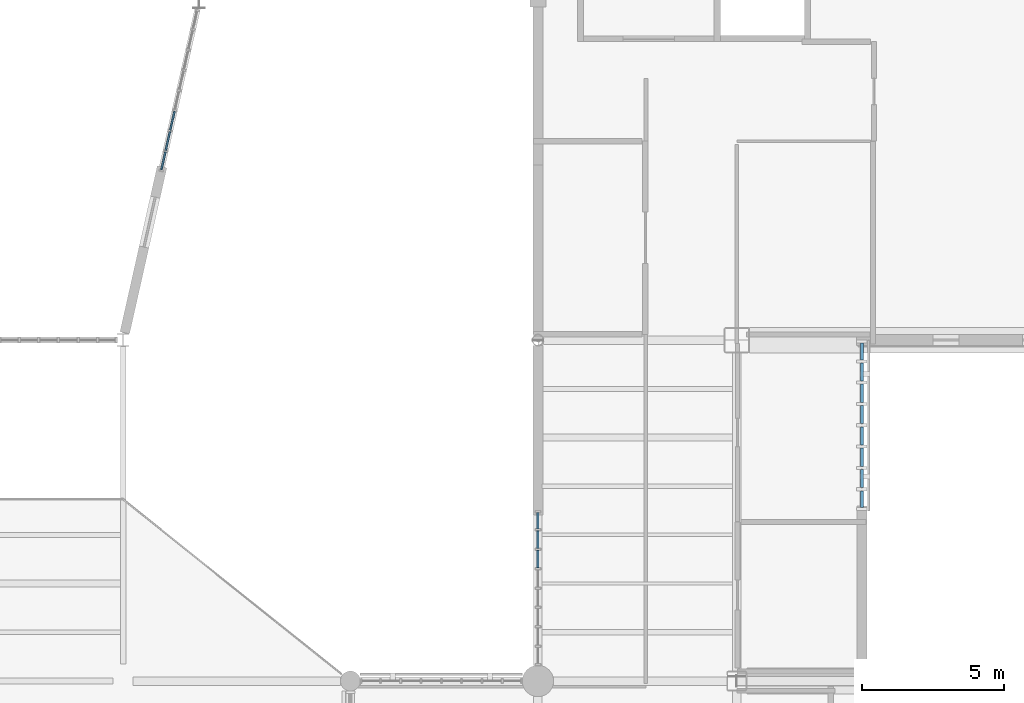
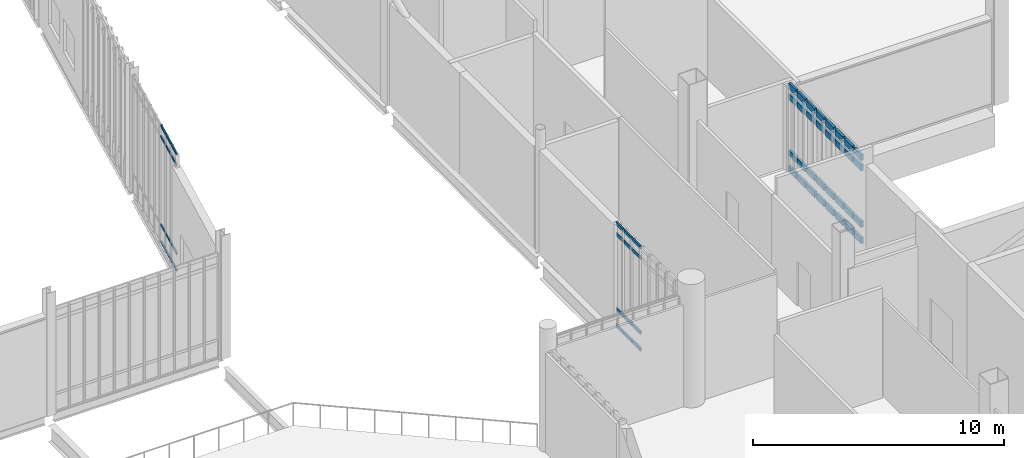
# One storey, part 52 of 135: 56 members, 3 elements without a shape of their own.
"""IFC4 building model written with IfcOpenShell, lengths in metres."""

from ifc_helpers import new_model, si_unit, direction, frame, origin, origin_2d, place, context, subcontext, project, spatial, rectangle, extrude, material, material_profile, profile_set, type_object, element, aggregate, save


model = new_model("IFC4")

# Units and contexts
model_context = context("Model", 3, precision=1e-05, world=origin(), true_north=direction((0.0, 1.0)))
body_context = subcontext(model_context, "Body", "Model", "MODEL_VIEW")
ifc_project = project(units=[si_unit("LENGTHUNIT", "METRE"), si_unit("AREAUNIT", "SQUARE_METRE"), si_unit("VOLUMEUNIT", "CUBIC_METRE"), si_unit("PLANEANGLEUNIT", "RADIAN"), si_unit("MASSUNIT", "GRAM", prefix="KILO")], contexts=[model_context])

# Site, building, storey
site_placement = place(None, origin())
site = spatial("IfcSite", under=ifc_project, at=site_placement, CompositionType="ELEMENT")
building_placement = place(site_placement, origin())
building = spatial("IfcBuilding", under=site, at=building_placement, Name="Larkvane Passage Sports Hall", CompositionType="ELEMENT")
storey_placement = place(building_placement, frame((0.0, 0.0, 10.800048828125)))
storey = spatial("IfcBuildingStorey", under=building, at=storey_placement, Name="L02", CompositionType="ELEMENT", Elevation=10.800048828125)

# Curtain wall, members
ifc_material_1 = material(Name="Thermally broken aluminium and low-E glazing", Category="aluminium")
curtain_wall_type_1 = type_object("IfcCurtainWallType", Name="CW-CLINIC", PredefinedType="USERDEFINED", material=ifc_material_1)
curtain_wall_1_placement = place(storey_placement, origin())
curtain_wall_1 = element("IfcCurtainWall", 1, at=curtain_wall_1_placement, inside=storey, type_object=curtain_wall_type_1, Name="Curtain wall CW5-L02-071", ObjectType="UNITISED CURTAIN WALL", PredefinedType="USERDEFINED")
ifc_material_2 = material(Name="Anodised aluminium 6063-T6", Category="aluminium")
ifc_material_profile_1 = material_profile(ifc_material_2, rectangle(XDim=0.110107421875, YDim=0.2900390625, at=origin_2d()), Name="ALU-TRN-110x290")
ifc_profile_set_1 = profile_set([ifc_material_profile_1], Name="Anodised aluminium 6063-T6")
member_type_1 = type_object("IfcMemberType", Name="CW-TRN-110x290", PredefinedType="USERDEFINED", material=ifc_profile_set_1)
member_1_placement = place(storey_placement, frame((136.0, 63.489990234375, 0.054931640625), z_axis=(0.0, -1.0, 0.0), x_axis=(1.0, 0.0, 0.0)))
member_1 = element("IfcMember", 2, at=member_1_placement, type_object=member_type_1, Name="CW-05 transom 1.1", ObjectType="TRANSOM", PredefinedType="USERDEFINED", context=body_context, shape_type="SweptSolid", body=[
    extrude(rectangle(XDim=0.110107421875, YDim=0.2900390625, at=origin_2d()), origin(), (0.0, 0.0, 1.0), 0.5849609375),
])
member_2_placement = place(storey_placement, frame((136.0, 63.489990234375, 0.849853515625), z_axis=(0.0, -1.0, 0.0), x_axis=(1.0, 0.0, 0.0)))
member_2 = element("IfcMember", 3, at=member_2_placement, type_object=member_type_1, Name="CW-05 transom 1.2", ObjectType="TRANSOM", PredefinedType="USERDEFINED", context=body_context, shape_type="SweptSolid", body=[
    extrude(rectangle(XDim=0.110107421875, YDim=0.2900390625, at=origin_2d()), origin(), (0.0, 0.0, 1.0), 0.5849609375),
])
member_3_placement = place(storey_placement, frame((136.0, 63.489990234375, 3.597900390625), z_axis=(0.0, -1.0, 0.0), x_axis=(1.0, 0.0, 0.0)))
member_3 = element("IfcMember", 4, at=member_3_placement, type_object=member_type_1, Name="CW-05 transom 1.3", ObjectType="TRANSOM", PredefinedType="USERDEFINED", context=body_context, shape_type="SweptSolid", body=[
    extrude(rectangle(XDim=0.110107421875, YDim=0.2900390625, at=origin_2d()), origin(), (0.0, 0.0, 1.0), 0.5849609375),
])
member_4_placement = place(storey_placement, frame((136.0, 63.489990234375, 4.093017578125), z_axis=(0.0, -1.0, 0.0), x_axis=(1.0, 0.0, 0.0)))
member_4 = element("IfcMember", 5, at=member_4_placement, type_object=member_type_1, Name="CW-05 transom 1.4", ObjectType="TRANSOM", PredefinedType="USERDEFINED", context=body_context, shape_type="SweptSolid", body=[
    extrude(rectangle(XDim=0.110107421875, YDim=0.2900390625, at=origin_2d()), origin(), (0.0, 0.0, 1.0), 0.5849609375),
])
member_5_placement = place(storey_placement, frame((136.0, 62.794921875, 0.054931640625), z_axis=(0.0, -1.0, 0.0), x_axis=(1.0, 0.0, 0.0)))
member_5 = element("IfcMember", 6, at=member_5_placement, type_object=member_type_1, Name="CW-05 transom 2.1", ObjectType="TRANSOM", PredefinedType="USERDEFINED", context=body_context, shape_type="SweptSolid", body=[
    extrude(rectangle(XDim=0.110107421875, YDim=0.2900390625, at=origin_2d()), origin(), (0.0, 0.0, 1.0), 0.639892578125),
])
member_6_placement = place(storey_placement, frame((136.0, 62.794921875, 0.849853515625), z_axis=(0.0, -1.0, 0.0), x_axis=(1.0, 0.0, 0.0)))
member_6 = element("IfcMember", 7, at=member_6_placement, type_object=member_type_1, Name="CW-05 transom 2.2", ObjectType="TRANSOM", PredefinedType="USERDEFINED", context=body_context, shape_type="SweptSolid", body=[
    extrude(rectangle(XDim=0.110107421875, YDim=0.2900390625, at=origin_2d()), origin(), (0.0, 0.0, 1.0), 0.639892578125),
])
member_7_placement = place(storey_placement, frame((136.0, 62.794921875, 3.597900390625), z_axis=(0.0, -1.0, 0.0), x_axis=(1.0, 0.0, 0.0)))
member_7 = element("IfcMember", 8, at=member_7_placement, type_object=member_type_1, Name="CW-05 transom 2.3", ObjectType="TRANSOM", PredefinedType="USERDEFINED", context=body_context, shape_type="SweptSolid", body=[
    extrude(rectangle(XDim=0.110107421875, YDim=0.2900390625, at=origin_2d()), origin(), (0.0, 0.0, 1.0), 0.639892578125),
])
member_8_placement = place(storey_placement, frame((136.0, 62.794921875, 4.093017578125), z_axis=(0.0, -1.0, 0.0), x_axis=(1.0, 0.0, 0.0)))
member_8 = element("IfcMember", 9, at=member_8_placement, type_object=member_type_1, Name="CW-05 transom 2.4", ObjectType="TRANSOM", PredefinedType="USERDEFINED", context=body_context, shape_type="SweptSolid", body=[
    extrude(rectangle(XDim=0.110107421875, YDim=0.2900390625, at=origin_2d()), origin(), (0.0, 0.0, 1.0), 0.639892578125),
])
member_9_placement = place(storey_placement, frame((136.0, 62.044921875, 0.054931640625), z_axis=(0.0, -1.0, 0.0), x_axis=(1.0, 0.0, 0.0)))
member_9 = element("IfcMember", 10, at=member_9_placement, type_object=member_type_1, Name="CW-05 transom 3.1", ObjectType="TRANSOM", PredefinedType="USERDEFINED", context=body_context, shape_type="SweptSolid", body=[
    extrude(rectangle(XDim=0.110107421875, YDim=0.2900390625, at=origin_2d()), origin(), (0.0, 0.0, 1.0), 0.639892578125),
])
member_10_placement = place(storey_placement, frame((136.0, 62.044921875, 0.849853515625), z_axis=(0.0, -1.0, 0.0), x_axis=(1.0, 0.0, 0.0)))
member_10 = element("IfcMember", 11, at=member_10_placement, type_object=member_type_1, Name="CW-05 transom 3.2", ObjectType="TRANSOM", PredefinedType="USERDEFINED", context=body_context, shape_type="SweptSolid", body=[
    extrude(rectangle(XDim=0.110107421875, YDim=0.2900390625, at=origin_2d()), origin(), (0.0, 0.0, 1.0), 0.639892578125),
])
member_11_placement = place(storey_placement, frame((136.0, 62.044921875, 3.597900390625), z_axis=(0.0, -1.0, 0.0), x_axis=(1.0, 0.0, 0.0)))
member_11 = element("IfcMember", 12, at=member_11_placement, type_object=member_type_1, Name="CW-05 transom 3.3", ObjectType="TRANSOM", PredefinedType="USERDEFINED", context=body_context, shape_type="SweptSolid", body=[
    extrude(rectangle(XDim=0.110107421875, YDim=0.2900390625, at=origin_2d()), origin(), (0.0, 0.0, 1.0), 0.639892578125),
])
member_12_placement = place(storey_placement, frame((136.0, 62.044921875, 4.093017578125), z_axis=(0.0, -1.0, 0.0), x_axis=(1.0, 0.0, 0.0)))
member_12 = element("IfcMember", 13, at=member_12_placement, type_object=member_type_1, Name="CW-05 transom 3.4", ObjectType="TRANSOM", PredefinedType="USERDEFINED", context=body_context, shape_type="SweptSolid", body=[
    extrude(rectangle(XDim=0.110107421875, YDim=0.2900390625, at=origin_2d()), origin(), (0.0, 0.0, 1.0), 0.639892578125),
])
member_13_placement = place(storey_placement, frame((136.0, 61.294921875, 0.054931640625), z_axis=(0.0, -1.0, 0.0), x_axis=(1.0, 0.0, 0.0)))
member_13 = element("IfcMember", 14, at=member_13_placement, type_object=member_type_1, Name="CW-05 transom 4.1", ObjectType="TRANSOM", PredefinedType="USERDEFINED", context=body_context, shape_type="SweptSolid", body=[
    extrude(rectangle(XDim=0.110107421875, YDim=0.2900390625, at=origin_2d()), origin(), (0.0, 0.0, 1.0), 0.639892578125),
])
member_14_placement = place(storey_placement, frame((136.0, 61.294921875, 0.849853515625), z_axis=(0.0, -1.0, 0.0), x_axis=(1.0, 0.0, 0.0)))
member_14 = element("IfcMember", 15, at=member_14_placement, type_object=member_type_1, Name="CW-05 transom 4.2", ObjectType="TRANSOM", PredefinedType="USERDEFINED", context=body_context, shape_type="SweptSolid", body=[
    extrude(rectangle(XDim=0.110107421875, YDim=0.2900390625, at=origin_2d()), origin(), (0.0, 0.0, 1.0), 0.639892578125),
])
member_15_placement = place(storey_placement, frame((136.0, 61.294921875, 3.597900390625), z_axis=(0.0, -1.0, 0.0), x_axis=(1.0, 0.0, 0.0)))
member_15 = element("IfcMember", 16, at=member_15_placement, type_object=member_type_1, Name="CW-05 transom 4.3", ObjectType="TRANSOM", PredefinedType="USERDEFINED", context=body_context, shape_type="SweptSolid", body=[
    extrude(rectangle(XDim=0.110107421875, YDim=0.2900390625, at=origin_2d()), origin(), (0.0, 0.0, 1.0), 0.639892578125),
])
member_16_placement = place(storey_placement, frame((136.0, 61.294921875, 4.093017578125), z_axis=(0.0, -1.0, 0.0), x_axis=(1.0, 0.0, 0.0)))
member_16 = element("IfcMember", 17, at=member_16_placement, type_object=member_type_1, Name="CW-05 transom 4.4", ObjectType="TRANSOM", PredefinedType="USERDEFINED", context=body_context, shape_type="SweptSolid", body=[
    extrude(rectangle(XDim=0.110107421875, YDim=0.2900390625, at=origin_2d()), origin(), (0.0, 0.0, 1.0), 0.639892578125),
])
member_17_placement = place(storey_placement, frame((136.0, 60.544921875, 0.054931640625), z_axis=(0.0, -1.0, 0.0), x_axis=(1.0, 0.0, 0.0)))
member_17 = element("IfcMember", 18, at=member_17_placement, type_object=member_type_1, Name="CW-05 transom 5.1", ObjectType="TRANSOM", PredefinedType="USERDEFINED", context=body_context, shape_type="SweptSolid", body=[
    extrude(rectangle(XDim=0.110107421875, YDim=0.2900390625, at=origin_2d()), origin(), (0.0, 0.0, 1.0), 0.639892578125),
])
member_18_placement = place(storey_placement, frame((136.0, 60.544921875, 0.849853515625), z_axis=(0.0, -1.0, 0.0), x_axis=(1.0, 0.0, 0.0)))
member_18 = element("IfcMember", 19, at=member_18_placement, type_object=member_type_1, Name="CW-05 transom 5.2", ObjectType="TRANSOM", PredefinedType="USERDEFINED", context=body_context, shape_type="SweptSolid", body=[
    extrude(rectangle(XDim=0.110107421875, YDim=0.2900390625, at=origin_2d()), origin(), (0.0, 0.0, 1.0), 0.639892578125),
])
member_19_placement = place(storey_placement, frame((136.0, 60.544921875, 3.597900390625), z_axis=(0.0, -1.0, 0.0), x_axis=(1.0, 0.0, 0.0)))
member_19 = element("IfcMember", 20, at=member_19_placement, type_object=member_type_1, Name="CW-05 transom 5.3", ObjectType="TRANSOM", PredefinedType="USERDEFINED", context=body_context, shape_type="SweptSolid", body=[
    extrude(rectangle(XDim=0.110107421875, YDim=0.2900390625, at=origin_2d()), origin(), (0.0, 0.0, 1.0), 0.639892578125),
])
member_20_placement = place(storey_placement, frame((136.0, 60.544921875, 4.093017578125), z_axis=(0.0, -1.0, 0.0), x_axis=(1.0, 0.0, 0.0)))
member_20 = element("IfcMember", 21, at=member_20_placement, type_object=member_type_1, Name="CW-05 transom 5.4", ObjectType="TRANSOM", PredefinedType="USERDEFINED", context=body_context, shape_type="SweptSolid", body=[
    extrude(rectangle(XDim=0.110107421875, YDim=0.2900390625, at=origin_2d()), origin(), (0.0, 0.0, 1.0), 0.639892578125),
])
member_21_placement = place(storey_placement, frame((136.0, 59.794921875, 0.054931640625), z_axis=(0.0, -1.0, 0.0), x_axis=(1.0, 0.0, 0.0)))
member_21 = element("IfcMember", 22, at=member_21_placement, type_object=member_type_1, Name="CW-05 transom 6.1", ObjectType="TRANSOM", PredefinedType="USERDEFINED", context=body_context, shape_type="SweptSolid", body=[
    extrude(rectangle(XDim=0.110107421875, YDim=0.2900390625, at=origin_2d()), origin(), (0.0, 0.0, 1.0), 0.639892578125),
])
member_22_placement = place(storey_placement, frame((136.0, 59.794921875, 0.849853515625), z_axis=(0.0, -1.0, 0.0), x_axis=(1.0, 0.0, 0.0)))
member_22 = element("IfcMember", 23, at=member_22_placement, type_object=member_type_1, Name="CW-05 transom 6.2", ObjectType="TRANSOM", PredefinedType="USERDEFINED", context=body_context, shape_type="SweptSolid", body=[
    extrude(rectangle(XDim=0.110107421875, YDim=0.2900390625, at=origin_2d()), origin(), (0.0, 0.0, 1.0), 0.639892578125),
])
member_23_placement = place(storey_placement, frame((136.0, 59.794921875, 3.597900390625), z_axis=(0.0, -1.0, 0.0), x_axis=(1.0, 0.0, 0.0)))
member_23 = element("IfcMember", 24, at=member_23_placement, type_object=member_type_1, Name="CW-05 transom 6.3", ObjectType="TRANSOM", PredefinedType="USERDEFINED", context=body_context, shape_type="SweptSolid", body=[
    extrude(rectangle(XDim=0.110107421875, YDim=0.2900390625, at=origin_2d()), origin(), (0.0, 0.0, 1.0), 0.639892578125),
])
member_24_placement = place(storey_placement, frame((136.0, 59.794921875, 4.093017578125), z_axis=(0.0, -1.0, 0.0), x_axis=(1.0, 0.0, 0.0)))
member_24 = element("IfcMember", 25, at=member_24_placement, type_object=member_type_1, Name="CW-05 transom 6.4", ObjectType="TRANSOM", PredefinedType="USERDEFINED", context=body_context, shape_type="SweptSolid", body=[
    extrude(rectangle(XDim=0.110107421875, YDim=0.2900390625, at=origin_2d()), origin(), (0.0, 0.0, 1.0), 0.639892578125),
])
member_25_placement = place(storey_placement, frame((136.0, 59.044921875, 0.054931640625), z_axis=(0.0, -1.0, 0.0), x_axis=(1.0, 0.0, 0.0)))
member_25 = element("IfcMember", 26, at=member_25_placement, type_object=member_type_1, Name="CW-05 transom 7.1", ObjectType="TRANSOM", PredefinedType="USERDEFINED", context=body_context, shape_type="SweptSolid", body=[
    extrude(rectangle(XDim=0.110107421875, YDim=0.2900390625, at=origin_2d()), origin(), (0.0, 0.0, 1.0), 0.639892578125),
])
member_26_placement = place(storey_placement, frame((136.0, 59.044921875, 0.849853515625), z_axis=(0.0, -1.0, 0.0), x_axis=(1.0, 0.0, 0.0)))
member_26 = element("IfcMember", 27, at=member_26_placement, type_object=member_type_1, Name="CW-05 transom 7.2", ObjectType="TRANSOM", PredefinedType="USERDEFINED", context=body_context, shape_type="SweptSolid", body=[
    extrude(rectangle(XDim=0.110107421875, YDim=0.2900390625, at=origin_2d()), origin(), (0.0, 0.0, 1.0), 0.639892578125),
])
member_27_placement = place(storey_placement, frame((136.0, 59.044921875, 3.597900390625), z_axis=(0.0, -1.0, 0.0), x_axis=(1.0, 0.0, 0.0)))
member_27 = element("IfcMember", 28, at=member_27_placement, type_object=member_type_1, Name="CW-05 transom 7.3", ObjectType="TRANSOM", PredefinedType="USERDEFINED", context=body_context, shape_type="SweptSolid", body=[
    extrude(rectangle(XDim=0.110107421875, YDim=0.2900390625, at=origin_2d()), origin(), (0.0, 0.0, 1.0), 0.639892578125),
])
member_28_placement = place(storey_placement, frame((136.0, 59.044921875, 4.093017578125), z_axis=(0.0, -1.0, 0.0), x_axis=(1.0, 0.0, 0.0)))
member_28 = element("IfcMember", 29, at=member_28_placement, type_object=member_type_1, Name="CW-05 transom 7.4", ObjectType="TRANSOM", PredefinedType="USERDEFINED", context=body_context, shape_type="SweptSolid", body=[
    extrude(rectangle(XDim=0.110107421875, YDim=0.2900390625, at=origin_2d()), origin(), (0.0, 0.0, 1.0), 0.639892578125),
])
member_29_placement = place(storey_placement, frame((136.0, 58.294921875, 0.054931640625), z_axis=(0.0, -1.0, 0.0), x_axis=(1.0, 0.0, 0.0)))
member_29 = element("IfcMember", 30, at=member_29_placement, type_object=member_type_1, Name="CW-05 transom 8.1", ObjectType="TRANSOM", PredefinedType="USERDEFINED", context=body_context, shape_type="SweptSolid", body=[
    extrude(rectangle(XDim=0.110107421875, YDim=0.2900390625, at=origin_2d()), origin(), (0.0, 0.0, 1.0), 0.5849609375),
])
member_30_placement = place(storey_placement, frame((136.0, 58.294921875, 0.849853515625), z_axis=(0.0, -1.0, 0.0), x_axis=(1.0, 0.0, 0.0)))
member_30 = element("IfcMember", 31, at=member_30_placement, type_object=member_type_1, Name="CW-05 transom 8.2", ObjectType="TRANSOM", PredefinedType="USERDEFINED", context=body_context, shape_type="SweptSolid", body=[
    extrude(rectangle(XDim=0.110107421875, YDim=0.2900390625, at=origin_2d()), origin(), (0.0, 0.0, 1.0), 0.5849609375),
])
member_31_placement = place(storey_placement, frame((136.0, 58.294921875, 3.597900390625), z_axis=(0.0, -1.0, 0.0), x_axis=(1.0, 0.0, 0.0)))
member_31 = element("IfcMember", 32, at=member_31_placement, type_object=member_type_1, Name="CW-05 transom 8.3", ObjectType="TRANSOM", PredefinedType="USERDEFINED", context=body_context, shape_type="SweptSolid", body=[
    extrude(rectangle(XDim=0.110107421875, YDim=0.2900390625, at=origin_2d()), origin(), (0.0, 0.0, 1.0), 0.5849609375),
])
member_32_placement = place(storey_placement, frame((136.0, 58.294921875, 4.093017578125), z_axis=(0.0, -1.0, 0.0), x_axis=(1.0, 0.0, 0.0)))
member_32 = element("IfcMember", 33, at=member_32_placement, type_object=member_type_1, Name="CW-05 transom 8.4", ObjectType="TRANSOM", PredefinedType="USERDEFINED", context=body_context, shape_type="SweptSolid", body=[
    extrude(rectangle(XDim=0.110107421875, YDim=0.2900390625, at=origin_2d()), origin(), (0.0, 0.0, 1.0), 0.5849609375),
])
aggregate(curtain_wall_1, [member_1, member_2, member_3, member_4, member_5, member_6, member_7, member_8, member_9, member_10, member_11, member_12, member_13, member_14, member_15, member_16, member_17, member_18, member_19, member_20, member_21, member_22, member_23, member_24, member_25, member_26, member_27, member_28, member_29, member_30, member_31, member_32])

curtain_wall_type_2 = type_object("IfcCurtainWallType", Name="CW-UNIT-COURT", PredefinedType="USERDEFINED", material=ifc_material_1)
curtain_wall_2_placement = place(storey_placement, origin())
curtain_wall_2 = element("IfcCurtainWall", 34, at=curtain_wall_2_placement, inside=storey, type_object=curtain_wall_type_2, Name="Curtain wall CW5-L02-084", ObjectType="UNITISED CURTAIN WALL", PredefinedType="USERDEFINED")
ifc_material_profile_2 = material_profile(ifc_material_2, rectangle(XDim=0.06005859375, YDim=0.1201171875, at=origin_2d()), Name="ALU-TRN-60x120")
ifc_profile_set_2 = profile_set([ifc_material_profile_2], Name="Anodised aluminium 6063-T6")
member_type_2 = type_object("IfcMemberType", Name="CW-TRN-60x120", PredefinedType="USERDEFINED", material=ifc_profile_set_2)
member_33_placement = place(storey_placement, frame((111.80810546875, 71.645751953125, 0.030029296875), z_axis=(-0.219356381456, -0.975644801101, 0.0), x_axis=(0.975644801101, -0.219356381456, 0.0)))
member_33 = element("IfcMember", 35, at=member_33_placement, type_object=member_type_2, Name="CW-01 transom 6.1", ObjectType="TRANSOM", PredefinedType="USERDEFINED", context=body_context, shape_type="SweptSolid", body=[
    extrude(rectangle(XDim=0.06005859375, YDim=0.1201171875, at=origin_2d()), origin(), (0.0, 0.0, 1.0), 0.671142578125),
])
member_34_placement = place(storey_placement, frame((111.80810546875, 71.645751953125, 0.849853515625), z_axis=(-0.219356381456, -0.975644801101, 0.0), x_axis=(0.975644801101, -0.219356381456, 0.0)))
member_34 = element("IfcMember", 36, at=member_34_placement, type_object=member_type_2, Name="CW-01 transom 6.2", ObjectType="TRANSOM", PredefinedType="USERDEFINED", context=body_context, shape_type="SweptSolid", body=[
    extrude(rectangle(XDim=0.06005859375, YDim=0.1201171875, at=origin_2d()), origin(), (0.0, 0.0, 1.0), 0.671142578125),
])
member_35_placement = place(storey_placement, frame((111.80810546875, 71.645751953125, 5.14990234375), z_axis=(-0.219356381456, -0.975644801101, 0.0), x_axis=(0.975644801101, -0.219356381456, 0.0)))
member_35 = element("IfcMember", 37, at=member_35_placement, type_object=member_type_2, Name="CW-01 transom 6.3", ObjectType="TRANSOM", PredefinedType="USERDEFINED", context=body_context, shape_type="SweptSolid", body=[
    extrude(rectangle(XDim=0.06005859375, YDim=0.1201171875, at=origin_2d()), origin(), (0.0, 0.0, 1.0), 0.671142578125),
])
member_36_placement = place(storey_placement, frame((111.80810546875, 71.645751953125, 5.669921875), z_axis=(-0.219356381456, -0.975644801101, 0.0), x_axis=(0.975644801101, -0.219356381456, 0.0)))
member_36 = element("IfcMember", 38, at=member_36_placement, type_object=member_type_2, Name="CW-01 transom 6.4", ObjectType="TRANSOM", PredefinedType="USERDEFINED", context=body_context, shape_type="SweptSolid", body=[
    extrude(rectangle(XDim=0.06005859375, YDim=0.1201171875, at=origin_2d()), origin(), (0.0, 0.0, 1.0), 0.671142578125),
])
member_37_placement = place(storey_placement, frame((111.647705078125, 70.9326171875, 0.030029296875), z_axis=(-0.219010068779, -0.975722598782, 0.0), x_axis=(0.975722598782, -0.219010068779, 0.0)))
member_37 = element("IfcMember", 39, at=member_37_placement, type_object=member_type_2, Name="CW-01 transom 7.1", ObjectType="TRANSOM", PredefinedType="USERDEFINED", context=body_context, shape_type="SweptSolid", body=[
    extrude(rectangle(XDim=0.06005859375, YDim=0.1201171875, at=origin_2d()), origin(), (0.0, 0.0, 1.0), 0.671142578125),
])
member_38_placement = place(storey_placement, frame((111.647705078125, 70.9326171875, 0.849853515625), z_axis=(-0.219010068779, -0.975722598782, 0.0), x_axis=(0.975722598782, -0.219010068779, 0.0)))
member_38 = element("IfcMember", 40, at=member_38_placement, type_object=member_type_2, Name="CW-01 transom 7.2", ObjectType="TRANSOM", PredefinedType="USERDEFINED", context=body_context, shape_type="SweptSolid", body=[
    extrude(rectangle(XDim=0.06005859375, YDim=0.1201171875, at=origin_2d()), origin(), (0.0, 0.0, 1.0), 0.671142578125),
])
member_39_placement = place(storey_placement, frame((111.647705078125, 70.9326171875, 5.14990234375), z_axis=(-0.219010068779, -0.975722598782, 0.0), x_axis=(0.975722598782, -0.219010068779, 0.0)))
member_39 = element("IfcMember", 41, at=member_39_placement, type_object=member_type_2, Name="CW-01 transom 7.3", ObjectType="TRANSOM", PredefinedType="USERDEFINED", context=body_context, shape_type="SweptSolid", body=[
    extrude(rectangle(XDim=0.06005859375, YDim=0.1201171875, at=origin_2d()), origin(), (0.0, 0.0, 1.0), 0.671142578125),
])
member_40_placement = place(storey_placement, frame((111.647705078125, 70.9326171875, 5.669921875), z_axis=(-0.219010068779, -0.975722598782, 0.0), x_axis=(0.975722598782, -0.219010068779, 0.0)))
member_40 = element("IfcMember", 42, at=member_40_placement, type_object=member_type_2, Name="CW-01 transom 7.4", ObjectType="TRANSOM", PredefinedType="USERDEFINED", context=body_context, shape_type="SweptSolid", body=[
    extrude(rectangle(XDim=0.06005859375, YDim=0.1201171875, at=origin_2d()), origin(), (0.0, 0.0, 1.0), 0.671142578125),
])
member_41_placement = place(storey_placement, frame((111.487548828125, 70.21923828125, 0.030029296875), z_axis=(-0.21934908298, -0.975646442004, 0.0), x_axis=(0.975646442004, -0.21934908298, 0.0)))
member_41 = element("IfcMember", 43, at=member_41_placement, type_object=member_type_2, Name="CW-01 transom 8.1", ObjectType="TRANSOM", PredefinedType="USERDEFINED", context=body_context, shape_type="SweptSolid", body=[
    extrude(rectangle(XDim=0.06005859375, YDim=0.1201171875, at=origin_2d()), origin(), (0.0, 0.0, 1.0), 0.64111328125),
])
member_42_placement = place(storey_placement, frame((111.487548828125, 70.21923828125, 0.849853515625), z_axis=(-0.21934908298, -0.975646442004, 0.0), x_axis=(0.975646442004, -0.21934908298, 0.0)))
member_42 = element("IfcMember", 44, at=member_42_placement, type_object=member_type_2, Name="CW-01 transom 8.2", ObjectType="TRANSOM", PredefinedType="USERDEFINED", context=body_context, shape_type="SweptSolid", body=[
    extrude(rectangle(XDim=0.06005859375, YDim=0.1201171875, at=origin_2d()), origin(), (0.0, 0.0, 1.0), 0.64111328125),
])
member_43_placement = place(storey_placement, frame((111.487548828125, 70.21923828125, 5.14990234375), z_axis=(-0.21934908298, -0.975646442004, 0.0), x_axis=(0.975646442004, -0.21934908298, 0.0)))
member_43 = element("IfcMember", 45, at=member_43_placement, type_object=member_type_2, Name="CW-01 transom 8.3", ObjectType="TRANSOM", PredefinedType="USERDEFINED", context=body_context, shape_type="SweptSolid", body=[
    extrude(rectangle(XDim=0.06005859375, YDim=0.1201171875, at=origin_2d()), origin(), (0.0, 0.0, 1.0), 0.64111328125),
])
member_44_placement = place(storey_placement, frame((111.487548828125, 70.21923828125, 5.669921875), z_axis=(-0.21934908298, -0.975646442004, 0.0), x_axis=(0.975646442004, -0.21934908298, 0.0)))
member_44 = element("IfcMember", 46, at=member_44_placement, type_object=member_type_2, Name="CW-01 transom 8.4", ObjectType="TRANSOM", PredefinedType="USERDEFINED", context=body_context, shape_type="SweptSolid", body=[
    extrude(rectangle(XDim=0.06005859375, YDim=0.1201171875, at=origin_2d()), origin(), (0.0, 0.0, 1.0), 0.64111328125),
])
aggregate(curtain_wall_2, [member_33, member_34, member_35, member_36, member_37, member_38, member_39, member_40, member_41, member_42, member_43, member_44])

curtain_wall_type_3 = type_object("IfcCurtainWallType", Name="CW-UNIT-VEIL", PredefinedType="USERDEFINED", material=ifc_material_1)
curtain_wall_3_placement = place(storey_placement, origin())
curtain_wall_3 = element("IfcCurtainWall", 47, at=curtain_wall_3_placement, inside=storey, type_object=curtain_wall_type_3, Name="Curtain wall CW5-L02-077", ObjectType="UNITISED CURTAIN WALL", PredefinedType="USERDEFINED")
ifc_material_profile_3 = material_profile(ifc_material_2, rectangle(XDim=0.070068359375, YDim=0.159912109375, at=origin_2d()), Name="ALU-TRN-70x160")
ifc_profile_set_3 = profile_set([ifc_material_profile_3], Name="Anodised aluminium 6063-T6")
member_type_3 = type_object("IfcMemberType", Name="CW-TRN-70x160", PredefinedType="USERDEFINED", material=ifc_profile_set_3)
member_45_placement = place(storey_placement, frame((124.60009765625, 55.58984375, 0.034912109375), z_axis=(0.0, 1.0, 0.0), x_axis=(-1.0, 0.0, 0.0)))
member_45 = element("IfcMember", 48, at=member_45_placement, type_object=member_type_3, Name="CW-02 transom 6.1", ObjectType="TRANSOM", PredefinedType="USERDEFINED", context=body_context, shape_type="SweptSolid", body=[
    extrude(rectangle(XDim=0.070068359375, YDim=0.159912109375, at=origin_2d()), origin(), (0.0, 0.0, 1.0), 0.611572265625),
])
member_46_placement = place(storey_placement, frame((124.60009765625, 55.58984375, 0.849853515625), z_axis=(0.0, 1.0, 0.0), x_axis=(-1.0, 0.0, 0.0)))
member_46 = element("IfcMember", 49, at=member_46_placement, type_object=member_type_3, Name="CW-02 transom 6.2", ObjectType="TRANSOM", PredefinedType="USERDEFINED", context=body_context, shape_type="SweptSolid", body=[
    extrude(rectangle(XDim=0.070068359375, YDim=0.159912109375, at=origin_2d()), origin(), (0.0, 0.0, 1.0), 0.611572265625),
])
member_47_placement = place(storey_placement, frame((124.60009765625, 55.58984375, 4.498046875), z_axis=(0.0, 1.0, 0.0), x_axis=(-1.0, 0.0, 0.0)))
member_47 = element("IfcMember", 50, at=member_47_placement, type_object=member_type_3, Name="CW-02 transom 6.3", ObjectType="TRANSOM", PredefinedType="USERDEFINED", context=body_context, shape_type="SweptSolid", body=[
    extrude(rectangle(XDim=0.070068359375, YDim=0.159912109375, at=origin_2d()), origin(), (0.0, 0.0, 1.0), 0.611572265625),
])
member_48_placement = place(storey_placement, frame((124.60009765625, 55.58984375, 5.012939453125), z_axis=(0.0, 1.0, 0.0), x_axis=(-1.0, 0.0, 0.0)))
member_48 = element("IfcMember", 51, at=member_48_placement, type_object=member_type_3, Name="CW-02 transom 6.4", ObjectType="TRANSOM", PredefinedType="USERDEFINED", context=body_context, shape_type="SweptSolid", body=[
    extrude(rectangle(XDim=0.070068359375, YDim=0.159912109375, at=origin_2d()), origin(), (0.0, 0.0, 1.0), 0.611572265625),
])
member_49_placement = place(storey_placement, frame((124.60009765625, 56.271484375, 0.034912109375), z_axis=(0.0, 1.0, 0.0), x_axis=(-1.0, 0.0, 0.0)))
member_49 = element("IfcMember", 52, at=member_49_placement, type_object=member_type_3, Name="CW-02 transom 7.1", ObjectType="TRANSOM", PredefinedType="USERDEFINED", context=body_context, shape_type="SweptSolid", body=[
    extrude(rectangle(XDim=0.070068359375, YDim=0.159912109375, at=origin_2d()), origin(), (0.0, 0.0, 1.0), 0.61181640625),
])
member_50_placement = place(storey_placement, frame((124.60009765625, 56.271484375, 0.849853515625), z_axis=(0.0, 1.0, 0.0), x_axis=(-1.0, 0.0, 0.0)))
member_50 = element("IfcMember", 53, at=member_50_placement, type_object=member_type_3, Name="CW-02 transom 7.2", ObjectType="TRANSOM", PredefinedType="USERDEFINED", context=body_context, shape_type="SweptSolid", body=[
    extrude(rectangle(XDim=0.070068359375, YDim=0.159912109375, at=origin_2d()), origin(), (0.0, 0.0, 1.0), 0.61181640625),
])
member_51_placement = place(storey_placement, frame((124.60009765625, 56.271484375, 4.498046875), z_axis=(0.0, 1.0, 0.0), x_axis=(-1.0, 0.0, 0.0)))
member_51 = element("IfcMember", 54, at=member_51_placement, type_object=member_type_3, Name="CW-02 transom 7.3", ObjectType="TRANSOM", PredefinedType="USERDEFINED", context=body_context, shape_type="SweptSolid", body=[
    extrude(rectangle(XDim=0.070068359375, YDim=0.159912109375, at=origin_2d()), origin(), (0.0, 0.0, 1.0), 0.61181640625),
])
member_52_placement = place(storey_placement, frame((124.60009765625, 56.271484375, 5.012939453125), z_axis=(0.0, 1.0, 0.0), x_axis=(-1.0, 0.0, 0.0)))
member_52 = element("IfcMember", 55, at=member_52_placement, type_object=member_type_3, Name="CW-02 transom 7.4", ObjectType="TRANSOM", PredefinedType="USERDEFINED", context=body_context, shape_type="SweptSolid", body=[
    extrude(rectangle(XDim=0.070068359375, YDim=0.159912109375, at=origin_2d()), origin(), (0.0, 0.0, 1.0), 0.61181640625),
])
member_53_placement = place(storey_placement, frame((124.60009765625, 56.953369140625, 0.034912109375), z_axis=(0.0, 1.0, 0.0), x_axis=(-1.0, 0.0, 0.0)))
member_53 = element("IfcMember", 56, at=member_53_placement, type_object=member_type_3, Name="CW-02 transom 8.1", ObjectType="TRANSOM", PredefinedType="USERDEFINED", context=body_context, shape_type="SweptSolid", body=[
    extrude(rectangle(XDim=0.070068359375, YDim=0.159912109375, at=origin_2d()), origin(), (0.0, 0.0, 1.0), 0.57666015625),
])
member_54_placement = place(storey_placement, frame((124.60009765625, 56.953369140625, 0.849853515625), z_axis=(0.0, 1.0, 0.0), x_axis=(-1.0, 0.0, 0.0)))
member_54 = element("IfcMember", 57, at=member_54_placement, type_object=member_type_3, Name="CW-02 transom 8.2", ObjectType="TRANSOM", PredefinedType="USERDEFINED", context=body_context, shape_type="SweptSolid", body=[
    extrude(rectangle(XDim=0.070068359375, YDim=0.159912109375, at=origin_2d()), origin(), (0.0, 0.0, 1.0), 0.57666015625),
])
member_55_placement = place(storey_placement, frame((124.60009765625, 56.953369140625, 4.498046875), z_axis=(0.0, 1.0, 0.0), x_axis=(-1.0, 0.0, 0.0)))
member_55 = element("IfcMember", 58, at=member_55_placement, type_object=member_type_3, Name="CW-02 transom 8.3", ObjectType="TRANSOM", PredefinedType="USERDEFINED", context=body_context, shape_type="SweptSolid", body=[
    extrude(rectangle(XDim=0.070068359375, YDim=0.159912109375, at=origin_2d()), origin(), (0.0, 0.0, 1.0), 0.57666015625),
])
member_56_placement = place(storey_placement, frame((124.60009765625, 56.953369140625, 5.012939453125), z_axis=(0.0, 1.0, 0.0), x_axis=(-1.0, 0.0, 0.0)))
member_56 = element("IfcMember", 59, at=member_56_placement, type_object=member_type_3, Name="CW-02 transom 8.4", ObjectType="TRANSOM", PredefinedType="USERDEFINED", context=body_context, shape_type="SweptSolid", body=[
    extrude(rectangle(XDim=0.070068359375, YDim=0.159912109375, at=origin_2d()), origin(), (0.0, 0.0, 1.0), 0.57666015625),
])
aggregate(curtain_wall_3, [member_45, member_46, member_47, member_48, member_49, member_50, member_51, member_52, member_53, member_54, member_55, member_56])

save(model, "model.ifc")
